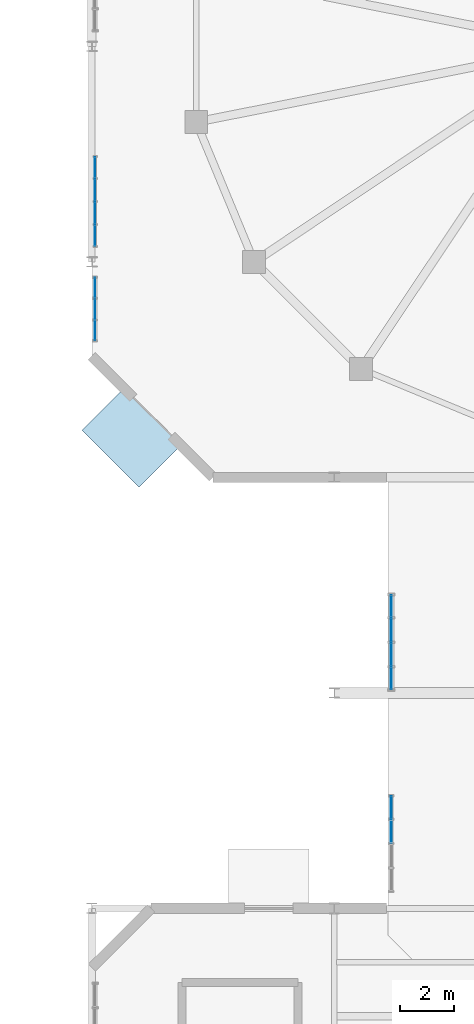
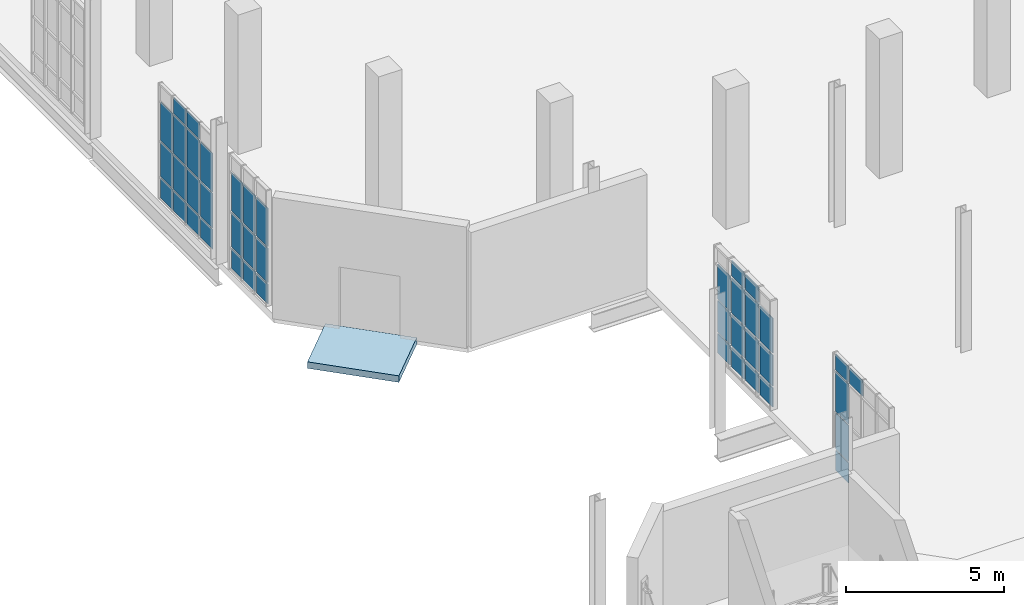
# One storey, part 144 of 189: 42 plates, 1 slab, 4 elements without a shape of their own.
"""IFC4 building model written with IfcOpenShell, lengths in metres."""

from ifc_helpers import new_model, si_unit, direction, frame, origin, origin_2d, place, context, subcontext, project, spatial, polyline, rectangle, outline, extrude, material, layer, layer_set, type_object, element, aggregate, save


model = new_model("IFC4")

# Units and contexts
model_context = context("Model", 3, precision=1e-05, world=origin(), true_north=direction((0.0, 1.0)))
body_context = subcontext(model_context, "Body", "Model", "MODEL_VIEW")
ifc_project = project(units=[si_unit("LENGTHUNIT", "METRE"), si_unit("AREAUNIT", "SQUARE_METRE"), si_unit("VOLUMEUNIT", "CUBIC_METRE"), si_unit("PLANEANGLEUNIT", "RADIAN"), si_unit("MASSUNIT", "GRAM", prefix="KILO"), si_unit("THERMODYNAMICTEMPERATUREUNIT", "KELVIN"), si_unit("POWERUNIT", "WATT")], contexts=[model_context])

# Site, building, storey
site_placement = place(None, origin())
site = spatial("IfcSite", under=ifc_project, at=site_placement, CompositionType="ELEMENT")
building_placement = place(site_placement, origin())
building = spatial("IfcBuilding", under=site, at=building_placement, Name="Zelmaris Science Centre", CompositionType="ELEMENT")
storey_placement = place(building_placement, origin())
storey = spatial("IfcBuildingStorey", under=building, at=storey_placement, Name="L00", CompositionType="ELEMENT", Elevation=0.0)

# Curtain wall, plates
ifc_material_1 = material(Name="Anodised architectural aluminium 6063-T6", Category="aluminium")
ifc_layer_1 = layer(ifc_material_1, 0.18994140625, Name="Anodised architectural aluminium 6063-T6")
ifc_layer_set_1 = layer_set([ifc_layer_1], Name="Anodised architectural aluminium 6063-T6")
curtain_wall_type_1 = type_object("IfcCurtainWallType", Name="Curtain Wall CW-01", PredefinedType="USERDEFINED", material=ifc_layer_set_1)
curtain_wall_1_placement = place(storey_placement, origin())
curtain_wall_1 = element("IfcCurtainWall", 1, at=curtain_wall_1_placement, inside=storey, type_object=curtain_wall_type_1, Name="L00 Unitised curtain wall 9", ObjectType="GLAZED CURTAIN WALL", PredefinedType="USERDEFINED")
ifc_material_2 = material(Name="Laminated hurricane-rated low-E insulated glazing", Category="glass")
ifc_layer_2 = layer(ifc_material_2, 0.031982421875, Name="Laminated hurricane-rated low-E insulated glazing")
ifc_layer_set_2 = layer_set([ifc_layer_2], Name="Laminated hurricane-rated low-E insulated glazing")
plate_type_1 = type_object("IfcPlateType", Name="Curtain Glazing Panel CWP-1 32mm", PredefinedType="CURTAIN_PANEL", material=ifc_layer_set_2)
plate_1_placement = place(storey_placement, frame((20.1162109375, 48.54150390625, 0.05712890625), z_axis=(0.0, 0.0, 1.0), x_axis=(-0.000442172135, 0.999999902242, 0.0)))
plate_1 = element("IfcPlate", 2, at=plate_1_placement, type_object=plate_type_1, Name="CW-01 panel 1.1", PredefinedType="CURTAIN_PANEL", context=body_context, shape_type="SweptSolid", body=[
    extrude(rectangle(XDim=0.796630859375, YDim=0.031982421875, at=origin_2d()), origin(), (0.0, 0.0, 1.0), 0.741943359375),
])
plate_2_placement = place(storey_placement, frame((20.1162109375, 48.54150390625, 0.87109375), z_axis=(0.0, 0.0, 1.0), x_axis=(-0.000442172135, 0.999999902242, 0.0)))
plate_2 = element("IfcPlate", 3, at=plate_2_placement, type_object=plate_type_1, Name="CW-01 panel 1.2", PredefinedType="CURTAIN_PANEL", context=body_context, shape_type="SweptSolid", body=[
    extrude(rectangle(XDim=0.796630859375, YDim=0.031982421875, at=origin_2d()), origin(), (0.0, 0.0, 1.0), 1.202392578125),
])
plate_3_placement = place(storey_placement, frame((20.1162109375, 48.54150390625, 2.1455078125), z_axis=(0.0, 0.0, 1.0), x_axis=(-0.000442172135, 0.999999902242, 0.0)))
plate_3 = element("IfcPlate", 4, at=plate_3_placement, type_object=plate_type_1, Name="CW-01 panel 1.3", PredefinedType="CURTAIN_PANEL", context=body_context, shape_type="SweptSolid", body=[
    extrude(rectangle(XDim=0.796630859375, YDim=0.031982421875, at=origin_2d()), origin(), (0.0, 0.0, 1.0), 1.3525390625),
])
plate_4_placement = place(storey_placement, frame((20.11572265625, 49.42822265625, 0.05712890625), z_axis=(0.0, 0.0, 1.0), x_axis=(-0.000442172135, 0.999999902242, 0.0)))
plate_4 = element("IfcPlate", 5, at=plate_4_placement, type_object=plate_type_1, Name="CW-01 panel 2.1", PredefinedType="CURTAIN_PANEL", context=body_context, shape_type="SweptSolid", body=[
    extrude(rectangle(XDim=0.83251953125, YDim=0.031982421875, at=origin_2d()), origin(), (0.0, 0.0, 1.0), 0.741943359375),
])
plate_5_placement = place(storey_placement, frame((20.11572265625, 49.42822265625, 0.87109375), z_axis=(0.0, 0.0, 1.0), x_axis=(-0.000442172135, 0.999999902242, 0.0)))
plate_5 = element("IfcPlate", 6, at=plate_5_placement, type_object=plate_type_1, Name="CW-01 panel 2.2", PredefinedType="CURTAIN_PANEL", context=body_context, shape_type="SweptSolid", body=[
    extrude(rectangle(XDim=0.83251953125, YDim=0.031982421875, at=origin_2d()), origin(), (0.0, 0.0, 1.0), 1.202392578125),
])
plate_6_placement = place(storey_placement, frame((20.11572265625, 49.42822265625, 2.1455078125), z_axis=(0.0, 0.0, 1.0), x_axis=(-0.000442172135, 0.999999902242, 0.0)))
plate_6 = element("IfcPlate", 7, at=plate_6_placement, type_object=plate_type_1, Name="CW-01 panel 2.3", PredefinedType="CURTAIN_PANEL", context=body_context, shape_type="SweptSolid", body=[
    extrude(rectangle(XDim=0.83251953125, YDim=0.031982421875, at=origin_2d()), origin(), (0.0, 0.0, 1.0), 1.3525390625),
])
plate_7_placement = place(storey_placement, frame((20.11572265625, 49.42822265625, 3.56982421875), z_axis=(0.0, 0.0, 1.0), x_axis=(-0.000442172135, 0.999999902242, 0.0)))
plate_7 = element("IfcPlate", 8, at=plate_7_placement, type_object=plate_type_1, Name="CW-01 panel 2.4", PredefinedType="CURTAIN_PANEL", context=body_context, shape_type="SweptSolid", body=[
    extrude(rectangle(XDim=0.83251953125, YDim=0.031982421875, at=origin_2d()), origin(), (0.0, 0.0, 1.0), 0.592041015625),
])
plate_8_placement = place(storey_placement, frame((20.115234375, 50.332763671875, 0.05712890625), z_axis=(0.0, 0.0, 1.0), x_axis=(-0.000442172135, 0.999999902242, 0.0)))
plate_8 = element("IfcPlate", 9, at=plate_8_placement, type_object=plate_type_1, Name="CW-01 panel 3.1", PredefinedType="CURTAIN_PANEL", context=body_context, shape_type="SweptSolid", body=[
    extrude(rectangle(XDim=0.83251953125, YDim=0.031982421875, at=origin_2d()), origin(), (0.0, 0.0, 1.0), 0.741943359375),
])
plate_9_placement = place(storey_placement, frame((20.115234375, 50.332763671875, 0.87109375), z_axis=(0.0, 0.0, 1.0), x_axis=(-0.000442172135, 0.999999902242, 0.0)))
plate_9 = element("IfcPlate", 10, at=plate_9_placement, type_object=plate_type_1, Name="CW-01 panel 3.2", PredefinedType="CURTAIN_PANEL", context=body_context, shape_type="SweptSolid", body=[
    extrude(rectangle(XDim=0.83251953125, YDim=0.031982421875, at=origin_2d()), origin(), (0.0, 0.0, 1.0), 1.202392578125),
])
plate_10_placement = place(storey_placement, frame((20.115234375, 50.332763671875, 2.1455078125), z_axis=(0.0, 0.0, 1.0), x_axis=(-0.000442172135, 0.999999902242, 0.0)))
plate_10 = element("IfcPlate", 11, at=plate_10_placement, type_object=plate_type_1, Name="CW-01 panel 3.3", PredefinedType="CURTAIN_PANEL", context=body_context, shape_type="SweptSolid", body=[
    extrude(rectangle(XDim=0.83251953125, YDim=0.031982421875, at=origin_2d()), origin(), (0.0, 0.0, 1.0), 1.3525390625),
])
plate_11_placement = place(storey_placement, frame((20.115234375, 50.332763671875, 3.56982421875), z_axis=(0.0, 0.0, 1.0), x_axis=(-0.000442172135, 0.999999902242, 0.0)))
plate_11 = element("IfcPlate", 12, at=plate_11_placement, type_object=plate_type_1, Name="CW-01 panel 3.4", PredefinedType="CURTAIN_PANEL", context=body_context, shape_type="SweptSolid", body=[
    extrude(rectangle(XDim=0.83251953125, YDim=0.031982421875, at=origin_2d()), origin(), (0.0, 0.0, 1.0), 0.592041015625),
])
plate_12_placement = place(storey_placement, frame((20.114990234375, 51.219482421875, 0.05712890625), z_axis=(0.0, 0.0, 1.0), x_axis=(-0.000442172135, 0.999999902242, 0.0)))
plate_12 = element("IfcPlate", 13, at=plate_12_placement, type_object=plate_type_1, Name="CW-01 panel 4.1", PredefinedType="CURTAIN_PANEL", context=body_context, shape_type="SweptSolid", body=[
    extrude(rectangle(XDim=0.796630859375, YDim=0.031982421875, at=origin_2d()), origin(), (0.0, 0.0, 1.0), 0.741943359375),
])
plate_13_placement = place(storey_placement, frame((20.114990234375, 51.219482421875, 0.87109375), z_axis=(0.0, 0.0, 1.0), x_axis=(-0.000442172135, 0.999999902242, 0.0)))
plate_13 = element("IfcPlate", 14, at=plate_13_placement, type_object=plate_type_1, Name="CW-01 panel 4.2", PredefinedType="CURTAIN_PANEL", context=body_context, shape_type="SweptSolid", body=[
    extrude(rectangle(XDim=0.796630859375, YDim=0.031982421875, at=origin_2d()), origin(), (0.0, 0.0, 1.0), 1.202392578125),
])
plate_14_placement = place(storey_placement, frame((20.114990234375, 51.219482421875, 2.1455078125), z_axis=(0.0, 0.0, 1.0), x_axis=(-0.000442172135, 0.999999902242, 0.0)))
plate_14 = element("IfcPlate", 15, at=plate_14_placement, type_object=plate_type_1, Name="CW-01 panel 4.3", PredefinedType="CURTAIN_PANEL", context=body_context, shape_type="SweptSolid", body=[
    extrude(rectangle(XDim=0.796630859375, YDim=0.031982421875, at=origin_2d()), origin(), (0.0, 0.0, 1.0), 1.3525390625),
])
aggregate(curtain_wall_1, [plate_1, plate_2, plate_3, plate_4, plate_5, plate_6, plate_7, plate_8, plate_9, plate_10, plate_11, plate_12, plate_13, plate_14])

ifc_layer_3 = layer(ifc_material_1, 0.2099609375, Name="Anodised architectural aluminium 6063-T6")
ifc_layer_set_3 = layer_set([ifc_layer_3], Name="Anodised architectural aluminium 6063-T6")
curtain_wall_type_2 = type_object("IfcCurtainWallType", Name="Curtain Wall CW-03", PredefinedType="USERDEFINED", material=ifc_layer_set_3)
curtain_wall_2_placement = place(storey_placement, origin())
curtain_wall_2 = element("IfcCurtainWall", 16, at=curtain_wall_2_placement, inside=storey, type_object=curtain_wall_type_2, Name="L00 Unitised curtain wall 7", ObjectType="GLAZED CURTAIN WALL", PredefinedType="USERDEFINED")
ifc_layer_4 = layer(ifc_material_2, 0.02587890625, Name="Laminated hurricane-rated low-E insulated glazing")
ifc_layer_set_4 = layer_set([ifc_layer_4], Name="Laminated hurricane-rated low-E insulated glazing")
plate_type_2 = type_object("IfcPlateType", Name="Curtain Glazing Panel CWP-3 26mm", PredefinedType="CURTAIN_PANEL", material=ifc_layer_set_4)
plate_15_placement = place(storey_placement, frame((20.118408203125, 42.855712890625, 3.9287109375), z_axis=(0.0, 0.0, 1.0), x_axis=(-0.000442159901, 0.999999902247, 0.0)))
plate_15 = element("IfcPlate", 17, at=plate_15_placement, type_object=plate_type_2, Name="CW-03 panel 3.4", PredefinedType="CURTAIN_PANEL", context=body_context, shape_type="SweptSolid", body=[
    extrude(rectangle(XDim=0.84765625, YDim=0.02587890625, at=origin_2d()), origin(), (0.0, 0.0, 1.0), 0.614501953125),
])
plate_16_placement = place(storey_placement, frame((20.1181640625, 43.746337890625, 0.0419921875), z_axis=(0.0, 0.0, 1.0), x_axis=(-0.000442159901, 0.999999902247, 0.0)))
plate_16 = element("IfcPlate", 18, at=plate_16_placement, type_object=plate_type_2, Name="CW-03 panel 4.1", PredefinedType="CURTAIN_PANEL", context=body_context, shape_type="SweptSolid", body=[
    extrude(rectangle(XDim=0.819091796875, YDim=0.02587890625, at=origin_2d()), origin(), (0.0, 0.0, 1.0), 0.764404296875),
])
plate_17_placement = place(storey_placement, frame((20.1181640625, 43.746337890625, 0.863525390625), z_axis=(0.0, 0.0, 1.0), x_axis=(-0.000442159901, 0.999999902247, 0.0)))
plate_17 = element("IfcPlate", 19, at=plate_17_placement, type_object=plate_type_2, Name="CW-03 panel 4.2", PredefinedType="CURTAIN_PANEL", context=body_context, shape_type="SweptSolid", body=[
    extrude(rectangle(XDim=0.819091796875, YDim=0.02587890625, at=origin_2d()), origin(), (0.0, 0.0, 1.0), 1.400390625),
])
plate_18_placement = place(storey_placement, frame((20.1181640625, 43.746337890625, 2.32080078125), z_axis=(0.0, 0.0, 1.0), x_axis=(-0.000442159901, 0.999999902247, 0.0)))
plate_18 = element("IfcPlate", 20, at=plate_18_placement, type_object=plate_type_2, Name="CW-03 panel 4.3", PredefinedType="CURTAIN_PANEL", context=body_context, shape_type="SweptSolid", body=[
    extrude(rectangle(XDim=0.819091796875, YDim=0.02587890625, at=origin_2d()), origin(), (0.0, 0.0, 1.0), 1.550537109375),
])
plate_19_placement = place(storey_placement, frame((20.1181640625, 43.746337890625, 3.9287109375), z_axis=(0.0, 0.0, 1.0), x_axis=(-0.000442159901, 0.999999902247, 0.0)))
plate_19 = element("IfcPlate", 21, at=plate_19_placement, type_object=plate_type_2, Name="CW-03 panel 4.4", PredefinedType="CURTAIN_PANEL", context=body_context, shape_type="SweptSolid", body=[
    extrude(rectangle(XDim=0.819091796875, YDim=0.02587890625, at=origin_2d()), origin(), (0.0, 0.0, 1.0), 0.614501953125),
])
aggregate(curtain_wall_2, [plate_15, plate_16, plate_17, plate_18, plate_19])

curtain_wall_3_placement = place(storey_placement, origin())
curtain_wall_3 = element("IfcCurtainWall", 22, at=curtain_wall_3_placement, inside=storey, type_object=curtain_wall_type_2, Name="L00 Unitised curtain wall 11", ObjectType="GLAZED CURTAIN WALL", PredefinedType="USERDEFINED")
plate_20_placement = place(storey_placement, frame((9.1201171875, 61.45751953125, 0.0419921875), z_axis=(0.0, 0.0, 1.0), x_axis=(0.0, 1.0, 0.0)))
plate_20 = element("IfcPlate", 23, at=plate_20_placement, type_object=plate_type_2, Name="CW-03 panel 1.1", PredefinedType="CURTAIN_PANEL", context=body_context, shape_type="SweptSolid", body=[
    extrude(rectangle(XDim=0.72119140625, YDim=0.02587890625, at=origin_2d()), origin(), (0.0, 0.0, 1.0), 0.764404296875),
])
plate_21_placement = place(storey_placement, frame((9.1201171875, 61.45751953125, 0.863525390625), z_axis=(0.0, 0.0, 1.0), x_axis=(0.0, 1.0, 0.0)))
plate_21 = element("IfcPlate", 24, at=plate_21_placement, type_object=plate_type_2, Name="CW-03 panel 1.2", PredefinedType="CURTAIN_PANEL", context=body_context, shape_type="SweptSolid", body=[
    extrude(rectangle(XDim=0.72119140625, YDim=0.02587890625, at=origin_2d()), origin(), (0.0, 0.0, 1.0), 1.3369140625),
])
plate_22_placement = place(storey_placement, frame((9.1201171875, 61.45751953125, 2.25732421875), z_axis=(0.0, 0.0, 1.0), x_axis=(0.0, 1.0, 0.0)))
plate_22 = element("IfcPlate", 25, at=plate_22_placement, type_object=plate_type_2, Name="CW-03 panel 1.3", PredefinedType="CURTAIN_PANEL", context=body_context, shape_type="SweptSolid", body=[
    extrude(rectangle(XDim=0.72119140625, YDim=0.02587890625, at=origin_2d()), origin(), (0.0, 0.0, 1.0), 1.487060546875),
])
plate_23_placement = place(storey_placement, frame((9.1201171875, 62.25, 0.0419921875), z_axis=(0.0, 0.0, 1.0), x_axis=(0.0, 1.0, 0.0)))
plate_23 = element("IfcPlate", 26, at=plate_23_placement, type_object=plate_type_2, Name="CW-03 panel 2.1", PredefinedType="CURTAIN_PANEL", context=body_context, shape_type="SweptSolid", body=[
    extrude(rectangle(XDim=0.749755859375, YDim=0.02587890625, at=origin_2d()), origin(), (0.0, 0.0, 1.0), 0.764404296875),
])
plate_24_placement = place(storey_placement, frame((9.1201171875, 62.25, 0.863525390625), z_axis=(0.0, 0.0, 1.0), x_axis=(0.0, 1.0, 0.0)))
plate_24 = element("IfcPlate", 27, at=plate_24_placement, type_object=plate_type_2, Name="CW-03 panel 2.2", PredefinedType="CURTAIN_PANEL", context=body_context, shape_type="SweptSolid", body=[
    extrude(rectangle(XDim=0.749755859375, YDim=0.02587890625, at=origin_2d()), origin(), (0.0, 0.0, 1.0), 1.3369140625),
])
plate_25_placement = place(storey_placement, frame((9.1201171875, 62.25, 2.25732421875), z_axis=(0.0, 0.0, 1.0), x_axis=(0.0, 1.0, 0.0)))
plate_25 = element("IfcPlate", 28, at=plate_25_placement, type_object=plate_type_2, Name="CW-03 panel 2.3", PredefinedType="CURTAIN_PANEL", context=body_context, shape_type="SweptSolid", body=[
    extrude(rectangle(XDim=0.749755859375, YDim=0.02587890625, at=origin_2d()), origin(), (0.0, 0.0, 1.0), 1.487060546875),
])
plate_26_placement = place(storey_placement, frame((9.1201171875, 63.04248046875, 0.0419921875), z_axis=(0.0, 0.0, 1.0), x_axis=(0.0, 1.0, 0.0)))
plate_26 = element("IfcPlate", 29, at=plate_26_placement, type_object=plate_type_2, Name="CW-03 panel 3.1", PredefinedType="CURTAIN_PANEL", context=body_context, shape_type="SweptSolid", body=[
    extrude(rectangle(XDim=0.72119140625, YDim=0.02587890625, at=origin_2d()), origin(), (0.0, 0.0, 1.0), 0.764404296875),
])
plate_27_placement = place(storey_placement, frame((9.1201171875, 63.04248046875, 0.863525390625), z_axis=(0.0, 0.0, 1.0), x_axis=(0.0, 1.0, 0.0)))
plate_27 = element("IfcPlate", 30, at=plate_27_placement, type_object=plate_type_2, Name="CW-03 panel 3.2", PredefinedType="CURTAIN_PANEL", context=body_context, shape_type="SweptSolid", body=[
    extrude(rectangle(XDim=0.72119140625, YDim=0.02587890625, at=origin_2d()), origin(), (0.0, 0.0, 1.0), 1.3369140625),
])
plate_28_placement = place(storey_placement, frame((9.1201171875, 63.04248046875, 2.25732421875), z_axis=(0.0, 0.0, 1.0), x_axis=(0.0, 1.0, 0.0)))
plate_28 = element("IfcPlate", 31, at=plate_28_placement, type_object=plate_type_2, Name="CW-03 panel 3.3", PredefinedType="CURTAIN_PANEL", context=body_context, shape_type="SweptSolid", body=[
    extrude(rectangle(XDim=0.72119140625, YDim=0.02587890625, at=origin_2d()), origin(), (0.0, 0.0, 1.0), 1.487060546875),
])
aggregate(curtain_wall_3, [plate_20, plate_21, plate_22, plate_23, plate_24, plate_25, plate_26, plate_27, plate_28])

ifc_layer_5 = layer(ifc_material_1, 0.219970703125, Name="Anodised architectural aluminium 6063-T6")
ifc_layer_set_5 = layer_set([ifc_layer_5], Name="Anodised architectural aluminium 6063-T6")
curtain_wall_type_3 = type_object("IfcCurtainWallType", Name="Curtain Wall CW-04", PredefinedType="USERDEFINED", material=ifc_layer_set_5)
curtain_wall_4_placement = place(storey_placement, origin())
curtain_wall_4 = element("IfcCurtainWall", 32, at=curtain_wall_4_placement, inside=storey, type_object=curtain_wall_type_3, Name="L00 Unitised curtain wall 12", ObjectType="GLAZED CURTAIN WALL", PredefinedType="USERDEFINED")
ifc_layer_6 = layer(ifc_material_2, 0.02392578125, Name="Laminated hurricane-rated low-E insulated glazing")
ifc_layer_set_6 = layer_set([ifc_layer_6], Name="Laminated hurricane-rated low-E insulated glazing")
plate_type_3 = type_object("IfcPlateType", Name="Curtain Glazing Panel CWP-4 24mm", PredefinedType="CURTAIN_PANEL", material=ifc_layer_set_6)
plate_29_placement = place(storey_placement, frame((9.1201171875, 64.97802734375, 0.037109375), z_axis=(0.0, 0.0, 1.0), x_axis=(0.0, 1.0, 0.0)))
plate_29 = element("IfcPlate", 33, at=plate_29_placement, type_object=plate_type_3, Name="CW-04 panel 1.1", PredefinedType="CURTAIN_PANEL", context=body_context, shape_type="SweptSolid", body=[
    extrude(rectangle(XDim=0.77197265625, YDim=0.02392578125, at=origin_2d()), origin(), (0.0, 0.0, 1.0), 0.77197265625),
])
plate_30_placement = place(storey_placement, frame((9.1201171875, 64.97802734375, 0.86083984375), z_axis=(0.0, 0.0, 1.0), x_axis=(0.0, 1.0, 0.0)))
plate_30 = element("IfcPlate", 34, at=plate_30_placement, type_object=plate_type_3, Name="CW-04 panel 1.2", PredefinedType="CURTAIN_PANEL", context=body_context, shape_type="SweptSolid", body=[
    extrude(rectangle(XDim=0.77197265625, YDim=0.02392578125, at=origin_2d()), origin(), (0.0, 0.0, 1.0), 1.342041015625),
])
plate_31_placement = place(storey_placement, frame((9.1201171875, 64.97802734375, 2.2548828125), z_axis=(0.0, 0.0, 1.0), x_axis=(0.0, 1.0, 0.0)))
plate_31 = element("IfcPlate", 35, at=plate_31_placement, type_object=plate_type_3, Name="CW-04 panel 1.3", PredefinedType="CURTAIN_PANEL", context=body_context, shape_type="SweptSolid", body=[
    extrude(rectangle(XDim=0.77197265625, YDim=0.02392578125, at=origin_2d()), origin(), (0.0, 0.0, 1.0), 1.491943359375),
])
plate_32_placement = place(storey_placement, frame((9.1201171875, 65.81494140625, 0.037109375), z_axis=(0.0, 0.0, 1.0), x_axis=(0.0, 1.0, 0.0)))
plate_32 = element("IfcPlate", 36, at=plate_32_placement, type_object=plate_type_3, Name="CW-04 panel 2.1", PredefinedType="CURTAIN_PANEL", context=body_context, shape_type="SweptSolid", body=[
    extrude(rectangle(XDim=0.798095703125, YDim=0.02392578125, at=origin_2d()), origin(), (0.0, 0.0, 1.0), 0.77197265625),
])
plate_33_placement = place(storey_placement, frame((9.1201171875, 65.81494140625, 0.86083984375), z_axis=(0.0, 0.0, 1.0), x_axis=(0.0, 1.0, 0.0)))
plate_33 = element("IfcPlate", 37, at=plate_33_placement, type_object=plate_type_3, Name="CW-04 panel 2.2", PredefinedType="CURTAIN_PANEL", context=body_context, shape_type="SweptSolid", body=[
    extrude(rectangle(XDim=0.798095703125, YDim=0.02392578125, at=origin_2d()), origin(), (0.0, 0.0, 1.0), 1.342041015625),
])
plate_34_placement = place(storey_placement, frame((9.1201171875, 65.81494140625, 2.2548828125), z_axis=(0.0, 0.0, 1.0), x_axis=(0.0, 1.0, 0.0)))
plate_34 = element("IfcPlate", 38, at=plate_34_placement, type_object=plate_type_3, Name="CW-04 panel 2.3", PredefinedType="CURTAIN_PANEL", context=body_context, shape_type="SweptSolid", body=[
    extrude(rectangle(XDim=0.798095703125, YDim=0.02392578125, at=origin_2d()), origin(), (0.0, 0.0, 1.0), 1.491943359375),
])
plate_35_placement = place(storey_placement, frame((9.1201171875, 65.81494140625, 3.799072265625), z_axis=(0.0, 0.0, 1.0), x_axis=(0.0, 1.0, 0.0)))
plate_35 = element("IfcPlate", 39, at=plate_35_placement, type_object=plate_type_3, Name="CW-04 panel 2.4", PredefinedType="CURTAIN_PANEL", context=body_context, shape_type="SweptSolid", body=[
    extrude(rectangle(XDim=0.798095703125, YDim=0.02392578125, at=origin_2d()), origin(), (0.0, 0.0, 1.0), 0.6220703125),
])
plate_36_placement = place(storey_placement, frame((9.1201171875, 66.6650390625, 0.037109375), z_axis=(0.0, 0.0, 1.0), x_axis=(0.0, 1.0, 0.0)))
plate_36 = element("IfcPlate", 40, at=plate_36_placement, type_object=plate_type_3, Name="CW-04 panel 3.1", PredefinedType="CURTAIN_PANEL", context=body_context, shape_type="SweptSolid", body=[
    extrude(rectangle(XDim=0.798095703125, YDim=0.02392578125, at=origin_2d()), origin(), (0.0, 0.0, 1.0), 0.77197265625),
])
plate_37_placement = place(storey_placement, frame((9.1201171875, 66.6650390625, 0.86083984375), z_axis=(0.0, 0.0, 1.0), x_axis=(0.0, 1.0, 0.0)))
plate_37 = element("IfcPlate", 41, at=plate_37_placement, type_object=plate_type_3, Name="CW-04 panel 3.2", PredefinedType="CURTAIN_PANEL", context=body_context, shape_type="SweptSolid", body=[
    extrude(rectangle(XDim=0.798095703125, YDim=0.02392578125, at=origin_2d()), origin(), (0.0, 0.0, 1.0), 1.342041015625),
])
plate_38_placement = place(storey_placement, frame((9.1201171875, 66.6650390625, 2.2548828125), z_axis=(0.0, 0.0, 1.0), x_axis=(0.0, 1.0, 0.0)))
plate_38 = element("IfcPlate", 42, at=plate_38_placement, type_object=plate_type_3, Name="CW-04 panel 3.3", PredefinedType="CURTAIN_PANEL", context=body_context, shape_type="SweptSolid", body=[
    extrude(rectangle(XDim=0.798095703125, YDim=0.02392578125, at=origin_2d()), origin(), (0.0, 0.0, 1.0), 1.491943359375),
])
plate_39_placement = place(storey_placement, frame((9.1201171875, 66.6650390625, 3.799072265625), z_axis=(0.0, 0.0, 1.0), x_axis=(0.0, 1.0, 0.0)))
plate_39 = element("IfcPlate", 43, at=plate_39_placement, type_object=plate_type_3, Name="CW-04 panel 3.4", PredefinedType="CURTAIN_PANEL", context=body_context, shape_type="SweptSolid", body=[
    extrude(rectangle(XDim=0.798095703125, YDim=0.02392578125, at=origin_2d()), origin(), (0.0, 0.0, 1.0), 0.6220703125),
])
plate_40_placement = place(storey_placement, frame((9.1201171875, 67.501953125, 0.037109375), z_axis=(0.0, 0.0, 1.0), x_axis=(0.0, 1.0, 0.0)))
plate_40 = element("IfcPlate", 44, at=plate_40_placement, type_object=plate_type_3, Name="CW-04 panel 4.1", PredefinedType="CURTAIN_PANEL", context=body_context, shape_type="SweptSolid", body=[
    extrude(rectangle(XDim=0.77197265625, YDim=0.02392578125, at=origin_2d()), origin(), (0.0, 0.0, 1.0), 0.77197265625),
])
plate_41_placement = place(storey_placement, frame((9.1201171875, 67.501953125, 0.86083984375), z_axis=(0.0, 0.0, 1.0), x_axis=(0.0, 1.0, 0.0)))
plate_41 = element("IfcPlate", 45, at=plate_41_placement, type_object=plate_type_3, Name="CW-04 panel 4.2", PredefinedType="CURTAIN_PANEL", context=body_context, shape_type="SweptSolid", body=[
    extrude(rectangle(XDim=0.77197265625, YDim=0.02392578125, at=origin_2d()), origin(), (0.0, 0.0, 1.0), 1.342041015625),
])
plate_42_placement = place(storey_placement, frame((9.1201171875, 67.501953125, 2.2548828125), z_axis=(0.0, 0.0, 1.0), x_axis=(0.0, 1.0, 0.0)))
plate_42 = element("IfcPlate", 46, at=plate_42_placement, type_object=plate_type_3, Name="CW-04 panel 4.3", PredefinedType="CURTAIN_PANEL", context=body_context, shape_type="SweptSolid", body=[
    extrude(rectangle(XDim=0.77197265625, YDim=0.02392578125, at=origin_2d()), origin(), (0.0, 0.0, 1.0), 1.491943359375),
])
aggregate(curtain_wall_4, [plate_29, plate_30, plate_31, plate_32, plate_33, plate_34, plate_35, plate_36, plate_37, plate_38, plate_39, plate_40, plate_41, plate_42])

# Slab
ifc_material_3 = material(Name="Concrete C40/50", Category="concrete")
ifc_layer_7 = layer(ifc_material_3, 0.25, Name="Concrete C40/50")
ifc_layer_set_7 = layer_set([ifc_layer_7], Name="Concrete C40/50")
slab_type = type_object("IfcSlabType", Name="Slab SL-TR250 250mm", PredefinedType="FLOOR", material=ifc_layer_set_7)
slab_placement = place(storey_placement, frame((0.0, 0.0, -0.25)))
element("IfcSlab", 47, at=slab_placement, inside=storey, type_object=slab_type, Name="L00 Exterior threshold apron 2", PredefinedType="FLOOR", context=body_context, shape_type="SweptSolid", body=[
    extrude(outline(polyline([(10.18212890625, 59.3037109375), (12.3037109375, 57.182373046875), (10.7548828125, 55.6337890625), (8.6337890625, 57.755126953125), (10.18212890625, 59.3037109375)])), origin(), (0.0, 0.0, 1.0), 0.25),
])

save(model, "model.ifc")
